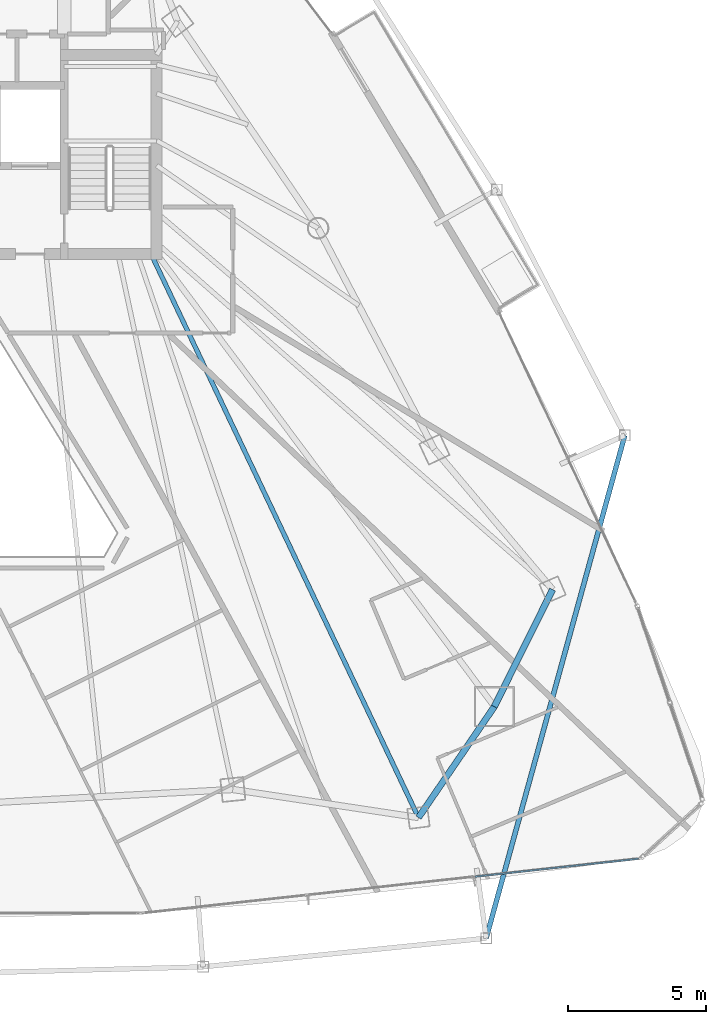
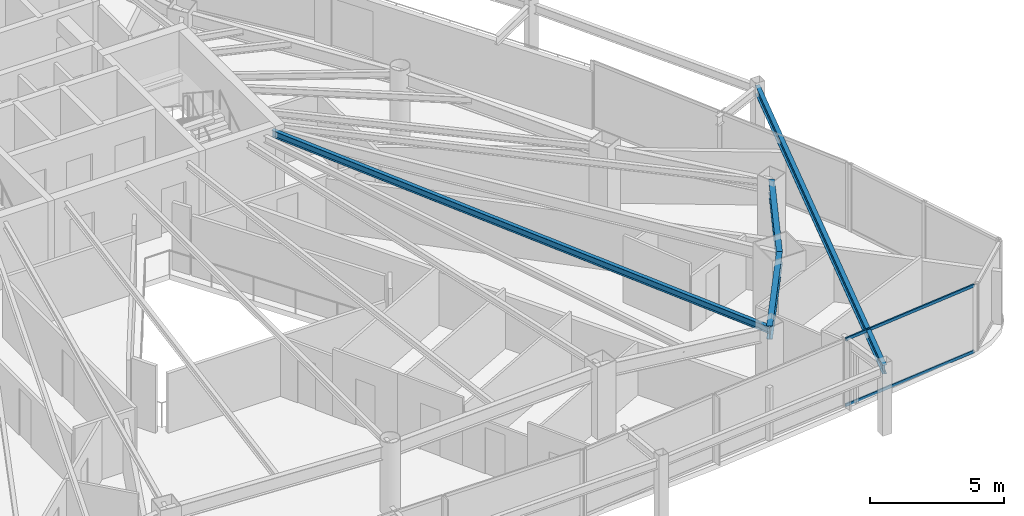
# One storey, part 12 of 31: 4 beams, 2 members, 1 element without a shape of its own.
"""IFC4 building model written with IfcOpenShell, lengths in metres."""

from ifc_helpers import new_model, si_unit, direction, frame, origin, origin_2d, place, context, subcontext, project, spatial, hollow_rectangle, i_section, extrude, material, layer, layer_set, material_profile, profile_set, type_object, element, aggregate, save


model = new_model("IFC4")

# Units and contexts
model_context = context("Model", 3, precision=1e-05, world=origin(), true_north=direction((0.0, 1.0)))
body_context = subcontext(model_context, "Body", "Model", "MODEL_VIEW")
ifc_project = project(units=[si_unit("LENGTHUNIT", "METRE"), si_unit("AREAUNIT", "SQUARE_METRE"), si_unit("VOLUMEUNIT", "CUBIC_METRE"), si_unit("PLANEANGLEUNIT", "RADIAN"), si_unit("MASSUNIT", "GRAM", prefix="KILO")], contexts=[model_context])

# Site, building, storey
site_placement = place(None, origin())
site = spatial("IfcSite", under=ifc_project, at=site_placement, CompositionType="ELEMENT")
building_placement = place(site_placement, origin())
building = spatial("IfcBuilding", under=site, at=building_placement, Name="Orvanel Arch Residences", CompositionType="ELEMENT")
storey_placement = place(building_placement, frame((0.0, 0.0, 106.699951171875)))
storey = spatial("IfcBuildingStorey", under=building, at=storey_placement, Name="L29", CompositionType="ELEMENT", Elevation=106.699951171875)

# Beams
ifc_material_1 = material(Name="Structural steel AS/NZS 3679.1 Grade 300 (300 MPa)", Category="steel")
ifc_material_profile_1 = material_profile(ifc_material_1, i_section(OverallWidth=0.1650390625, OverallDepth=0.303955078125, WebThickness=0.006103515625, FlangeThickness=0.01025390625, at=origin_2d()), Name="310UB40.4")
ifc_profile_set_1 = profile_set([ifc_material_profile_1], Name="Structural steel AS/NZS 3679.1 Grade 300 (300 MPa)")
beam_type_1 = type_object("IfcBeamType", Name="BJ-310UB", PredefinedType="JOIST", material=ifc_profile_set_1)
beam_1_placement = place(storey_placement, frame((39.39990234375, 26.699951171875, 2.907958984375), z_axis=(0.428614365266, -0.903487534993, 0.0), x_axis=(0.903487534993, 0.428614365266, 0.0)))
element("IfcBeam", 1, at=beam_1_placement, inside=storey, type_object=beam_type_1, Name="L29 MSE Wing Floor Joist", PredefinedType="JOIST", context=body_context, shape_type="SweptSolid", body=[
    extrude(i_section(OverallWidth=0.1650390625, OverallDepth=0.303955078125, WebThickness=0.006103515625, FlangeThickness=0.01025390625, at=origin_2d()), origin(), (0.0, 0.0, 1.0), 22.535888671875),
])
ifc_material_profile_2 = material_profile(ifc_material_1, i_section(OverallWidth=0.177978515625, OverallDepth=0.406005859375, WebThickness=0.0078125, FlangeThickness=0.0126953125, at=origin_2d()), Name="410UB59.7")
ifc_profile_set_2 = profile_set([ifc_material_profile_2], Name="Structural steel AS/NZS 3679.1 Grade 300 (300 MPa)")
beam_type_2 = type_object("IfcBeamType", Name="OB-410UB-EXT", PredefinedType="SPANDREL", material=ifc_profile_set_2)
beam_2_placement = place(storey_placement, frame((51.5048828125, 1.98095703125, 2.85693359375), z_axis=(0.265789930022, 0.964030971027, 0.0), x_axis=(-0.964030971027, 0.265789930022, 0.0)))
element("IfcBeam", 2, at=beam_2_placement, inside=storey, type_object=beam_type_2, Name="L29 Outer Perimeter Floor Ring Beam 08", PredefinedType="SPANDREL", context=body_context, shape_type="SweptSolid", body=[
    extrude(i_section(OverallWidth=0.177978515625, OverallDepth=0.406005859375, WebThickness=0.0078125, FlangeThickness=0.0126953125, at=origin_2d()), origin(), (0.0, 0.0, 1.0), 18.845947265625),
])
ifc_material_profile_3 = material_profile(ifc_material_1, i_section(OverallWidth=0.22900390625, OverallDepth=0.612060546875, WebThickness=0.011962890625, FlangeThickness=0.01953125, at=origin_2d()), Name="610UB125")
ifc_profile_set_3 = profile_set([ifc_material_profile_3], Name="Structural steel AS/NZS 3679.1 Grade 300 (300 MPa)")
beam_type_3 = type_object("IfcBeamType", Name="SP-610UB", PredefinedType="SPANDREL", material=ifc_profile_set_3)
beam_3_placement = place(storey_placement, frame((49.05908203125, 6.339111328125, 2.754150390625), z_axis=(0.564251579852, 0.825602903722, 0.0), x_axis=(-0.825602903722, 0.564251579852, 0.0)))
element("IfcBeam", 3, at=beam_3_placement, inside=storey, type_object=beam_type_3, Name="L29 Perimeter Spandrel Beam 08", PredefinedType="SPANDREL", context=body_context, shape_type="SweptSolid", body=[
    extrude(i_section(OverallWidth=0.22900390625, OverallDepth=0.612060546875, WebThickness=0.011962890625, FlangeThickness=0.01953125, at=origin_2d()), origin(), (0.0, 0.0, 1.0), 4.859375),
])
beam_4_placement = place(storey_placement, frame((51.801025390625, 10.35107421875, 2.754150390625), z_axis=(0.44543469453, 0.895314432425, 0.0), x_axis=(-0.895314432425, 0.44543469453, 0.0)))
element("IfcBeam", 4, at=beam_4_placement, inside=storey, type_object=beam_type_3, Name="L29 Perimeter Spandrel Beam 09", PredefinedType="SPANDREL", context=body_context, shape_type="SweptSolid", body=[
    extrude(i_section(OverallWidth=0.22900390625, OverallDepth=0.612060546875, WebThickness=0.011962890625, FlangeThickness=0.01953125, at=origin_2d()), origin(), (0.0, 0.0, 1.0), 4.723388671875),
])

# Curtain wall, members
ifc_material_2 = material(Name="Bronze-anodised aluminium AA6063-T6", Category="aluminium")
ifc_layer = layer(ifc_material_2, 0.179931640625)
ifc_layer_set = layer_set([ifc_layer], Name="Bronze-anodised aluminium AA6063-T6")
curtain_wall_type = type_object("IfcCurtainWallType", Name="CW3-MID-SYS", PredefinedType="NOTDEFINED", material=ifc_layer_set)
curtain_wall_placement = place(storey_placement, origin())
curtain_wall = element("IfcCurtainWall", 5, at=curtain_wall_placement, inside=storey, type_object=curtain_wall_type, Name="L29 CW3-MID-SYS Unitised Curtain Wall", PredefinedType="NOTDEFINED")
ifc_material_profile_4 = material_profile(ifc_material_2, hollow_rectangle(XDim=0.06005859375, YDim=0.135009765625, WallThickness=0.00390625, at=origin_2d()), Name="ALU135x60x4")
ifc_profile_set_4 = profile_set([ifc_material_profile_4], Name="Bronze-anodised aluminium AA6063-T6")
member_type = type_object("IfcMemberType", Name="TRN-135x60", PredefinedType="USERDEFINED", material=ifc_profile_set_4)
member_1_placement = place(storey_placement, frame((51.098388671875, 4.204833984375, 0.030029296875), z_axis=(0.994026709515, 0.109137073311, 0.0), x_axis=(-0.109137073311, 0.994026709515, 0.0)))
member_1 = element("IfcMember", 6, at=member_1_placement, type_object=member_type, Name="CW-S3 transom 3.1", ObjectType="TRANSOM", PredefinedType="USERDEFINED", context=body_context, shape_type="SweptSolid", body=[
    extrude(hollow_rectangle(XDim=0.06005859375, YDim=0.135009765625, WallThickness=0.00390625, at=origin_2d()), origin(), (0.0, 0.0, 1.0), 5.94140625),
])
member_2_placement = place(storey_placement, frame((51.098388671875, 4.204833984375, 3.030029296875), z_axis=(0.994026709515, 0.109137073311, 0.0), x_axis=(-0.109137073311, 0.994026709515, 0.0)))
member_2 = element("IfcMember", 7, at=member_2_placement, type_object=member_type, Name="CW-S3 transom 3.2", ObjectType="TRANSOM", PredefinedType="USERDEFINED", context=body_context, shape_type="SweptSolid", body=[
    extrude(hollow_rectangle(XDim=0.06005859375, YDim=0.135009765625, WallThickness=0.00390625, at=origin_2d()), origin(), (0.0, 0.0, 1.0), 5.94140625),
])
aggregate(curtain_wall, [member_1, member_2])

save(model, "model.ifc")
